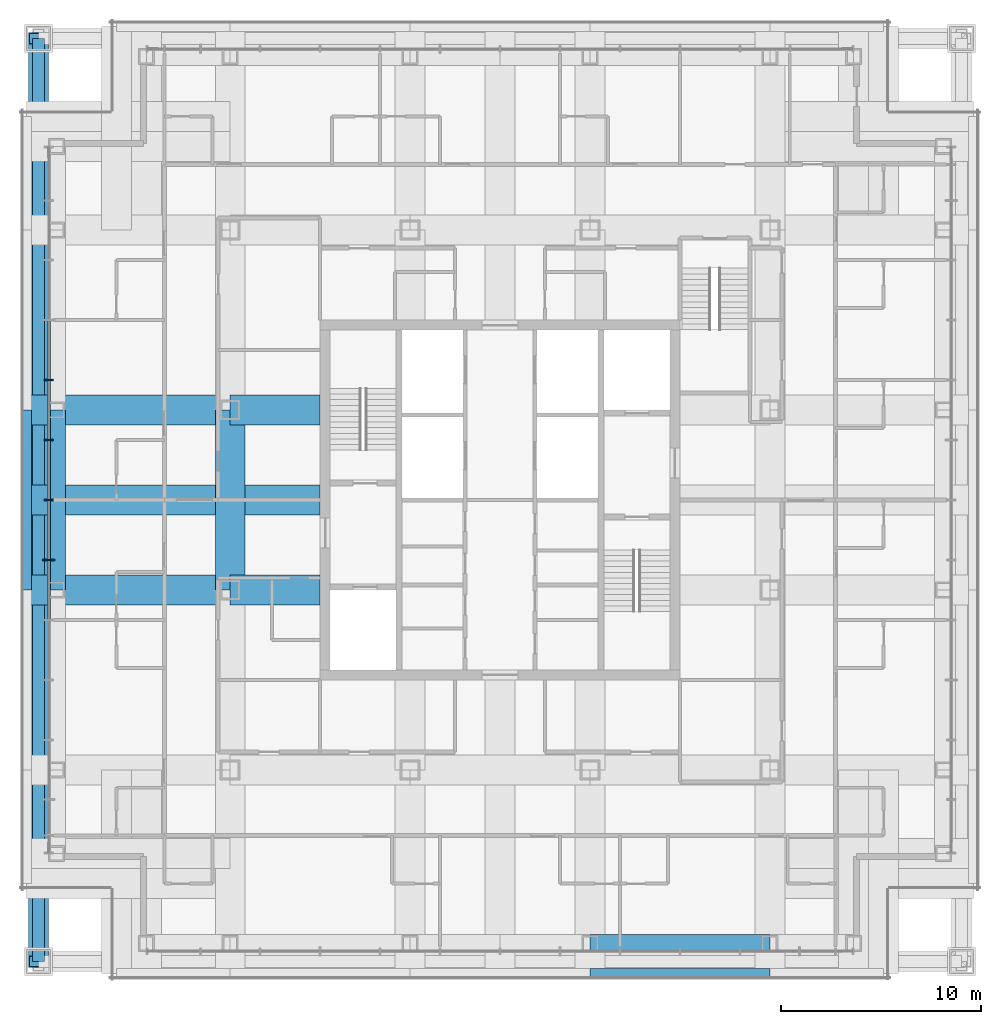
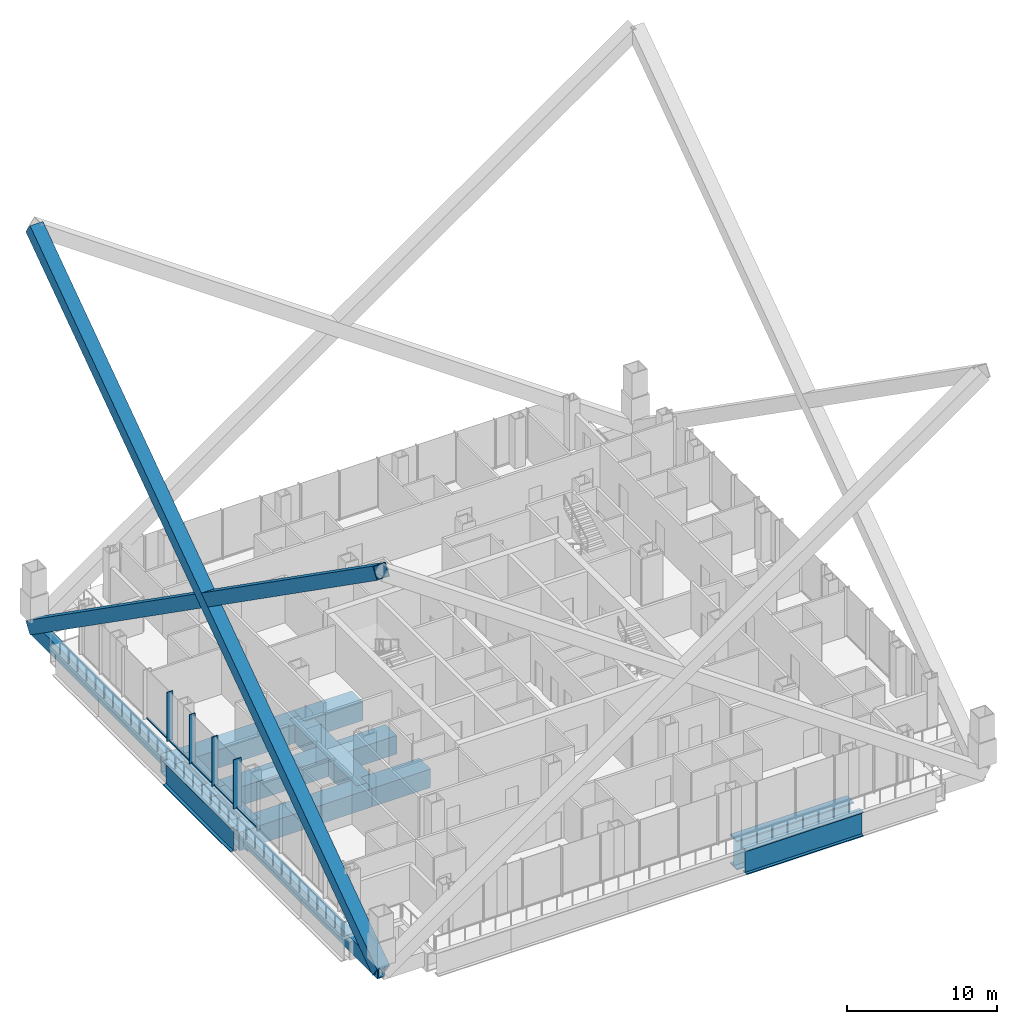
# One storey, part 4 of 18: 12 members, 11 beams, 1 element without a shape of its own.
"""IFC4 building model written with IfcOpenShell, lengths in metres."""

from ifc_helpers import new_model, si_unit, direction, frame, origin, origin_2d, place, context, subcontext, project, spatial, rectangle, hollow_rectangle, i_section, extrude, material, layer, layer_set, material_profile, profile_set, type_object, element, aggregate, save


model = new_model("IFC4")

# Units and contexts
model_context = context("Model", 3, precision=1e-05, world=origin(), true_north=direction((0.0, 1.0)))
body_context = subcontext(model_context, "Body", "Model", "MODEL_VIEW")
ifc_project = project(units=[si_unit("LENGTHUNIT", "METRE"), si_unit("AREAUNIT", "SQUARE_METRE"), si_unit("VOLUMEUNIT", "CUBIC_METRE"), si_unit("PLANEANGLEUNIT", "RADIAN"), si_unit("MASSUNIT", "GRAM", prefix="KILO")], contexts=[model_context])

# Site, building, storey
site_placement = place(None, origin())
site = spatial("IfcSite", under=ifc_project, at=site_placement, CompositionType="ELEMENT")
building_placement = place(site_placement, origin())
building = spatial("IfcBuilding", under=site, at=building_placement, Name="Malebo Sky Hospital", CompositionType="ELEMENT")
storey_placement = place(building_placement, frame((0.0, 0.0, 177.0)))
storey = spatial("IfcBuildingStorey", under=building, at=storey_placement, Name="L42", CompositionType="ELEMENT", Elevation=177.0)

# Curtain wall, members
ifc_material_1 = material(Name="Anodised aluminium, natural silver", Category="aluminium")
ifc_layer = layer(ifc_material_1, 0.25)
ifc_layer_set = layer_set([ifc_layer], Name="WARD CURTAIN WALL EAST AND WEST")
curtain_wall_type = type_object("IfcCurtainWallType", Name="WARD CURTAIN WALL EAST AND WEST", PredefinedType="NOTDEFINED", material=ifc_layer_set)
curtain_wall_placement = place(storey_placement, origin())
curtain_wall = element("IfcCurtainWall", 1, at=curtain_wall_placement, inside=storey, type_object=curtain_wall_type, Name="EW curtain wall W", PredefinedType="NOTDEFINED")
ifc_material_profile_1 = material_profile(ifc_material_1, rectangle(XDim=0.14990234375, YDim=0.10009765625, at=origin_2d()), Name="ALUMINIUM TRANSOM 150x100")
ifc_profile_set_1 = profile_set([ifc_material_profile_1], Name="Anodised aluminium, natural silver")
member_type_1 = type_object("IfcMemberType", Name="ALUMINIUM TRANSOM 150x100", PredefinedType="USERDEFINED", material=ifc_profile_set_1)
member_1_placement = place(storey_placement, frame((37.425048828125, 56.03759765625, 0.050048828125), z_axis=(0.0, 1.0, 0.0), x_axis=(-1.0, 0.0, 0.0)))
member_1 = element("IfcMember", 2, at=member_1_placement, type_object=member_type_1, Name="Transom 6", ObjectType="TRANSOM", PredefinedType="USERDEFINED", context=body_context, shape_type="SweptSolid", body=[
    extrude(rectangle(XDim=0.14990234375, YDim=0.10009765625, at=origin_2d()), origin(), (0.0, 0.0, 1.0), 2.9248046875),
])
member_2_placement = place(storey_placement, frame((37.425048828125, 59.03759765625, 0.050048828125), z_axis=(0.0, 1.0, 0.0), x_axis=(-1.0, 0.0, 0.0)))
member_2 = element("IfcMember", 3, at=member_2_placement, type_object=member_type_1, Name="Transom 7", ObjectType="TRANSOM", PredefinedType="USERDEFINED", context=body_context, shape_type="SweptSolid", body=[
    extrude(rectangle(XDim=0.14990234375, YDim=0.10009765625, at=origin_2d()), origin(), (0.0, 0.0, 1.0), 2.9248046875),
])
member_3_placement = place(storey_placement, frame((37.425048828125, 62.03759765625, 0.050048828125), z_axis=(0.0, 1.0, 0.0), x_axis=(-1.0, 0.0, 0.0)))
member_3 = element("IfcMember", 4, at=member_3_placement, type_object=member_type_1, Name="Transom 8", ObjectType="TRANSOM", PredefinedType="USERDEFINED", context=body_context, shape_type="SweptSolid", body=[
    extrude(rectangle(XDim=0.14990234375, YDim=0.10009765625, at=origin_2d()), origin(), (0.0, 0.0, 1.0), 2.9248046875),
])
member_4_placement = place(storey_placement, frame((37.425048828125, 65.03759765625, 0.050048828125), z_axis=(0.0, 1.0, 0.0), x_axis=(-1.0, 0.0, 0.0)))
member_4 = element("IfcMember", 5, at=member_4_placement, type_object=member_type_1, Name="Transom 9", ObjectType="TRANSOM", PredefinedType="USERDEFINED", context=body_context, shape_type="SweptSolid", body=[
    extrude(rectangle(XDim=0.14990234375, YDim=0.10009765625, at=origin_2d()), origin(), (0.0, 0.0, 1.0), 2.9248046875),
])
member_5_placement = place(storey_placement, frame((37.425048828125, 68.03759765625, 0.050048828125), z_axis=(0.0, 1.0, 0.0), x_axis=(-1.0, 0.0, 0.0)))
member_5 = element("IfcMember", 6, at=member_5_placement, type_object=member_type_1, Name="Transom 10", ObjectType="TRANSOM", PredefinedType="USERDEFINED", context=body_context, shape_type="SweptSolid", body=[
    extrude(rectangle(XDim=0.14990234375, YDim=0.10009765625, at=origin_2d()), origin(), (0.0, 0.0, 1.0), 2.9248046875),
])
ifc_material_profile_2 = material_profile(ifc_material_1, rectangle(XDim=0.074951171875, YDim=0.449951171875, at=origin_2d()), Name="CW2 ALUMINIUM FIN MULLION 75x450")
ifc_profile_set_2 = profile_set([ifc_material_profile_2], Name="Anodised aluminium, natural silver")
member_type_2 = type_object("IfcMemberType", Name="CW2 ALUMINIUM FIN MULLION 75x450", PredefinedType="MULLION", material=ifc_profile_set_2)
member_6_placement = place(storey_placement, frame((37.425048828125, 62.0, 0.0), z_axis=(0.0, 0.0, 1.0), x_axis=(0.0, 1.0, 0.0)))
member_6 = element("IfcMember", 7, at=member_6_placement, type_object=member_type_2, Name="Fin mullion 8", PredefinedType="MULLION", context=body_context, shape_type="SweptSolid", body=[
    extrude(rectangle(XDim=0.074951171875, YDim=0.449951171875, at=origin_2d()), origin(), (0.0, 0.0, 1.0), 4.0),
])
member_7_placement = place(storey_placement, frame((37.425048828125, 65.0, 0.0), z_axis=(0.0, 0.0, 1.0), x_axis=(0.0, 1.0, 0.0)))
member_7 = element("IfcMember", 8, at=member_7_placement, type_object=member_type_2, Name="Fin mullion 9", PredefinedType="MULLION", context=body_context, shape_type="SweptSolid", body=[
    extrude(rectangle(XDim=0.074951171875, YDim=0.449951171875, at=origin_2d()), origin(), (0.0, 0.0, 1.0), 4.0),
])
member_8_placement = place(storey_placement, frame((37.425048828125, 68.0, 0.0), z_axis=(0.0, 0.0, 1.0), x_axis=(0.0, 1.0, 0.0)))
member_8 = element("IfcMember", 9, at=member_8_placement, type_object=member_type_2, Name="Fin mullion 10", PredefinedType="MULLION", context=body_context, shape_type="SweptSolid", body=[
    extrude(rectangle(XDim=0.074951171875, YDim=0.449951171875, at=origin_2d()), origin(), (0.0, 0.0, 1.0), 4.0),
])
ifc_material_profile_3 = material_profile(ifc_material_1, rectangle(XDim=0.074951171875, YDim=0.60009765625, at=origin_2d()), Name="CW2 ALUMINIUM FIN MULLION 75x600")
ifc_profile_set_3 = profile_set([ifc_material_profile_3], Name="Anodised aluminium, natural silver")
member_type_3 = type_object("IfcMemberType", Name="CW2 ALUMINIUM FIN MULLION 75x600", PredefinedType="MULLION", material=ifc_profile_set_3)
member_9_placement = place(storey_placement, frame((37.425048828125, 59.0, 0.0), z_axis=(0.0, 0.0, 1.0), x_axis=(0.0, 1.0, 0.0)))
member_9 = element("IfcMember", 10, at=member_9_placement, type_object=member_type_3, Name="Fin mullion 7", PredefinedType="MULLION", context=body_context, shape_type="SweptSolid", body=[
    extrude(rectangle(XDim=0.074951171875, YDim=0.60009765625, at=origin_2d()), origin(), (0.0, 0.0, 1.0), 4.0),
])
aggregate(curtain_wall, [member_9, member_6, member_7, member_8, member_1, member_2, member_3, member_4, member_5])

# Members
ifc_material_2 = material(Name="Steel S460", Category="steel")
ifc_material_profile_4 = material_profile(ifc_material_2, hollow_rectangle(XDim=1.0, YDim=1.0, WallThickness=0.06005859375, at=origin_2d()), Name="BOX 1000x1000x60")
ifc_profile_set_4 = profile_set([ifc_material_profile_4], Name="Steel S460")
member_type_4 = type_object("IfcMemberType", Name="MEGA BRACE BOX 1000x1000x60", PredefinedType="BRACE", material=ifc_profile_set_4)
for number, where, z_axis, x_axis, name in (
    (11, (36.89990234375, 85.10009765625, -0.85009765625), (0.0, -0.818315050894, 0.574769934392), (1.0, 0.0, 0.0), "Mega brace C1W1 L42-L50"),
    (12, (36.89990234375, 38.89990234375, -0.85009765625), (0.0, 0.818315050894, 0.574769934392), (-1.0, 0.0, 0.0), "Mega brace C1W2 L42-L50"),
):
    element("IfcMember", number, at=place(storey_placement, frame(where, z_axis=z_axis, x_axis=x_axis)), inside=storey, type_object=member_type_4, Name=name, PredefinedType="BRACE", context=body_context, shape_type="SweptSolid", body=[
        extrude(hollow_rectangle(XDim=1.0, YDim=1.0, WallThickness=0.06005859375, at=origin_2d()), origin(), (0.0, 0.0, 1.0), 56.457763671875),
    ])
ifc_material_profile_5 = material_profile(ifc_material_2, hollow_rectangle(XDim=0.60009765625, YDim=1.199951171875, WallThickness=0.080078125, at=origin_2d()), Name="BOX 1200x600x80")
ifc_profile_set_5 = profile_set([ifc_material_profile_5], Name="Steel S460")
member_type_5 = type_object("IfcMemberType", Name="MEGA TIE BOX 1200x600x80", PredefinedType="CHORD", material=ifc_profile_set_5)
member_10_placement = place(storey_placement, frame((36.89990234375, 85.10009765625, -0.85009765625), z_axis=(0.0, -1.0, 0.0), x_axis=(1.0, 0.0, 0.0)))
element("IfcMember", 13, at=member_10_placement, inside=storey, type_object=member_type_5, Name="Mega tie CW L42", PredefinedType="CHORD", context=body_context, shape_type="SweptSolid", body=[
    extrude(hollow_rectangle(XDim=0.60009765625, YDim=1.199951171875, WallThickness=0.080078125, at=origin_2d()), origin(), (0.0, 0.0, 1.0), 46.2001953125),
])

# Beams
ifc_material_profile_6 = material_profile(ifc_material_2, hollow_rectangle(XDim=1.5, YDim=1.5, WallThickness=0.10009765625, at=origin_2d()), Name="BOX 1500x1500x100")
ifc_profile_set_6 = profile_set([ifc_material_profile_6], Name="Steel S460")
beam_type_1 = type_object("IfcBeamType", Name="TRANSFER GIRDER BOX 1500x1500x100", PredefinedType="BEAM", material=ifc_profile_set_6)
beam_1_placement = place(storey_placement, frame((46.5, 57.5, -1.0), z_axis=(0.0, 1.0, 0.0), x_axis=(-1.0, 0.0, 0.0)))
element("IfcBeam", 14, at=beam_1_placement, inside=storey, type_object=beam_type_1, Name="Beam 012 L42", PredefinedType="BEAM", context=body_context, shape_type="SweptSolid", body=[
    extrude(hollow_rectangle(XDim=1.5, YDim=1.5, WallThickness=0.10009765625, at=origin_2d()), origin(), (0.0, 0.0, 1.0), 9.0),
])
beam_2_placement = place(storey_placement, frame((36.300048828125, 57.5, -1.0), z_axis=(1.0, 0.0, 0.0), x_axis=(0.0, 1.0, 0.0)))
element("IfcBeam", 15, at=beam_2_placement, inside=storey, type_object=beam_type_1, Name="Beam 055 L42", PredefinedType="BEAM", context=body_context, shape_type="SweptSolid", body=[
    extrude(hollow_rectangle(XDim=1.5, YDim=1.5, WallThickness=0.10009765625, at=origin_2d()), origin(), (0.0, 0.0, 1.0), 10.199951171875),
])
beam_3_placement = place(storey_placement, frame((46.5, 57.5, -1.0), z_axis=(1.0, 0.0, 0.0), x_axis=(0.0, 1.0, 0.0)))
element("IfcBeam", 16, at=beam_3_placement, inside=storey, type_object=beam_type_1, Name="Beam 056 L42", PredefinedType="BEAM", context=body_context, shape_type="SweptSolid", body=[
    extrude(hollow_rectangle(XDim=1.5, YDim=1.5, WallThickness=0.10009765625, at=origin_2d()), origin(), (0.0, 0.0, 1.0), 4.5),
])
beam_4_placement = place(storey_placement, frame((36.300048828125, 66.5, -1.0), z_axis=(1.0, 0.0, 0.0), x_axis=(0.0, 1.0, 0.0)))
element("IfcBeam", 17, at=beam_4_placement, inside=storey, type_object=beam_type_1, Name="Beam 061 L42", PredefinedType="BEAM", context=body_context, shape_type="SweptSolid", body=[
    extrude(hollow_rectangle(XDim=1.5, YDim=1.5, WallThickness=0.10009765625, at=origin_2d()), origin(), (0.0, 0.0, 1.0), 10.199951171875),
])
beam_5_placement = place(storey_placement, frame((46.5, 66.5, -1.0), z_axis=(1.0, 0.0, 0.0), x_axis=(0.0, 1.0, 0.0)))
element("IfcBeam", 18, at=beam_5_placement, inside=storey, type_object=beam_type_1, Name="Beam 062 L42", PredefinedType="BEAM", context=body_context, shape_type="SweptSolid", body=[
    extrude(hollow_rectangle(XDim=1.5, YDim=1.5, WallThickness=0.10009765625, at=origin_2d()), origin(), (0.0, 0.0, 1.0), 4.5),
])
beam_6_placement = place(storey_placement, frame((36.300048828125, 62.0, -1.0), z_axis=(1.0, 0.0, 0.0), x_axis=(0.0, 1.0, 0.0)))
element("IfcBeam", 19, at=beam_6_placement, inside=storey, type_object=beam_type_1, Name="Beam 059 L42", PredefinedType="BEAM", context=body_context, shape_type="SweptSolid", body=[
    extrude(hollow_rectangle(XDim=1.5, YDim=1.5, WallThickness=0.10009765625, at=origin_2d()), origin(), (0.0, 0.0, 1.0), 14.699951171875),
])
ifc_material_3 = material(Name="Steel S355", Category="steel")
ifc_material_profile_7 = material_profile(ifc_material_3, i_section(OverallWidth=0.5, OverallDepth=2.0, WebThickness=0.0400390625, FlangeThickness=0.080078125, at=origin_2d()), Name="PG 2000x500x40x80")
ifc_profile_set_7 = profile_set([ifc_material_profile_7], Name="Steel S355")
beam_type_2 = type_object("IfcBeamType", Name="TRANSFER GIRDER PG 2000x500x40x80", PredefinedType="BEAM", material=ifc_profile_set_7)
for number, where, z_axis, x_axis, name in (
    (20, (36.300048828125, 57.5, -1.25), (0.0, 1.0, 0.0), (-1.0, 0.0, 0.0), "Beam 002 L42"),
    (21, (64.5, 38.300048828125, -1.25), (1.0, 0.0, 0.0), (0.0, 1.0, 0.0), "Beam 043 L42"),
):
    element("IfcBeam", number, at=place(storey_placement, frame(where, z_axis=z_axis, x_axis=x_axis)), inside=storey, type_object=beam_type_2, Name=name, PredefinedType="BEAM", context=body_context, shape_type="SweptSolid", body=[
        extrude(i_section(OverallWidth=0.5, OverallDepth=2.0, WebThickness=0.0400390625, FlangeThickness=0.080078125, at=origin_2d()), origin(), (0.0, 0.0, 1.0), 9.0),
    ])
ifc_material_profile_8 = material_profile(ifc_material_3, i_section(OverallWidth=0.89990234375, OverallDepth=2.39990234375, WebThickness=0.050048828125, FlangeThickness=0.10009765625, at=origin_2d()), Name="PG 2400x900x50x100")
ifc_profile_set_8 = profile_set([ifc_material_profile_8], Name="Steel S355")
beam_type_3 = type_object("IfcBeamType", Name="TRANSFER GIRDER PG 2400x900x50x100", PredefinedType="BEAM", material=ifc_profile_set_8)
for number, where, z_axis, x_axis, name in (
    (22, (37.800048828125, 57.5, -1.449951171875), (0.0, 1.0, 0.0), (-1.0, 0.0, 0.0), "Beam 005c L42"),
    (23, (37.800048828125, 62.0, -1.449951171875), (0.0, 1.0, 0.0), (-1.0, 0.0, 0.0), "Beam 005d L42"),
):
    element("IfcBeam", number, at=place(storey_placement, frame(where, z_axis=z_axis, x_axis=x_axis)), inside=storey, type_object=beam_type_3, Name=name, PredefinedType="BEAM", context=body_context, shape_type="SweptSolid", body=[
        extrude(i_section(OverallWidth=0.89990234375, OverallDepth=2.39990234375, WebThickness=0.050048828125, FlangeThickness=0.10009765625, at=origin_2d()), origin(), (0.0, 0.0, 1.0), 4.5),
    ])
beam_7_placement = place(storey_placement, frame((64.5, 39.800048828125, -1.449951171875), z_axis=(1.0, 0.0, 0.0), x_axis=(0.0, 1.0, 0.0)))
element("IfcBeam", 24, at=beam_7_placement, inside=storey, type_object=beam_type_3, Name="Beam 045e L42", PredefinedType="BEAM", context=body_context, shape_type="SweptSolid", body=[
    extrude(i_section(OverallWidth=0.89990234375, OverallDepth=2.39990234375, WebThickness=0.050048828125, FlangeThickness=0.10009765625, at=origin_2d()), origin(), (0.0, 0.0, 1.0), 9.0),
])

save(model, "model.ifc")
